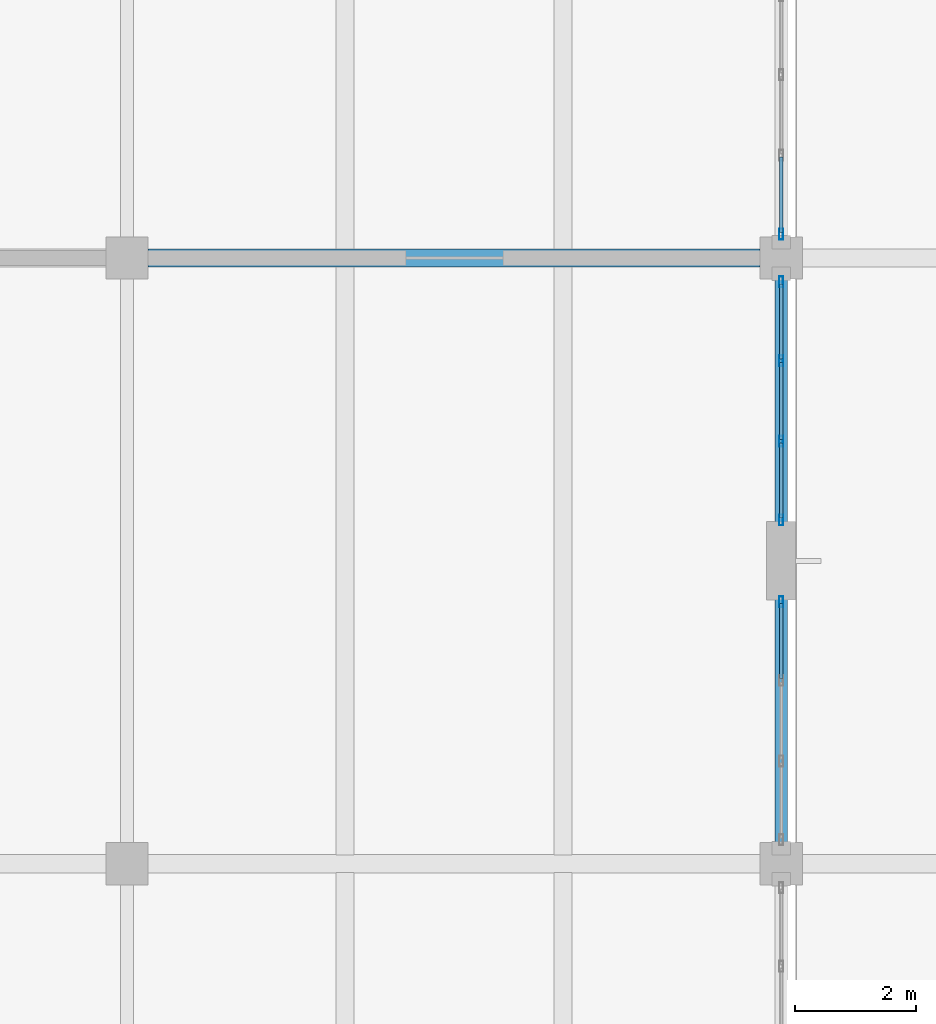
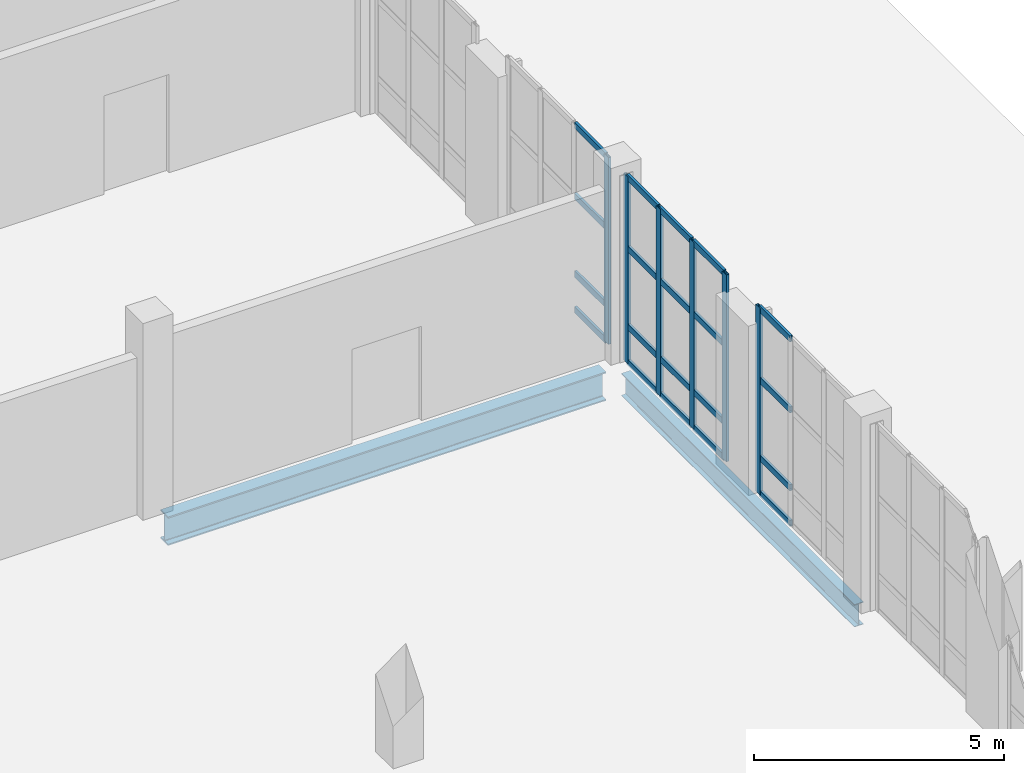
# One storey, part 52 of 92: 26 members, 2 beams, 3 elements without a shape of their own.
"""IFC4 building model written with IfcOpenShell, lengths in metres."""

from ifc_helpers import new_model, si_unit, direction, frame, origin, origin_2d, place, context, subcontext, project, spatial, hollow_rectangle, i_section, extrude, material, layer, layer_set, material_profile, profile_set, type_object, element, aggregate, save


model = new_model("IFC4")

# Units and contexts
model_context = context("Model", 3, precision=1e-05, world=origin(), true_north=direction((0.0, 1.0)))
body_context = subcontext(model_context, "Body", "Model", "MODEL_VIEW")
ifc_project = project(units=[si_unit("LENGTHUNIT", "METRE"), si_unit("AREAUNIT", "SQUARE_METRE"), si_unit("VOLUMEUNIT", "CUBIC_METRE"), si_unit("PLANEANGLEUNIT", "RADIAN"), si_unit("MASSUNIT", "GRAM", prefix="KILO")], contexts=[model_context])

# Site, building, storey
site_placement = place(None, origin())
site = spatial("IfcSite", under=ifc_project, at=site_placement, CompositionType="ELEMENT")
building_placement = place(site_placement, origin())
building = spatial("IfcBuilding", under=site, at=building_placement, Name="Tasgan Crest Museum", CompositionType="ELEMENT")
storey_placement = place(building_placement, frame((0.0, 0.0, 4.800048828125)))
storey = spatial("IfcBuildingStorey", under=building, at=storey_placement, Name="L01", CompositionType="ELEMENT", Elevation=4.800048828125)

# Beams
ifc_material_1 = material(Name="Steel S355K2", Category="steel")
ifc_material_profile_1 = material_profile(ifc_material_1, i_section(OverallWidth=0.300048828125, OverallDepth=0.699951171875, WebThickness=0.01708984375, FlangeThickness=0.031982421875, FilletRadius=0.027099609375, at=origin_2d()), Name="HEB 700")
ifc_profile_set_1 = profile_set([ifc_material_profile_1], Name="Steel S355K2")
beam_type_1 = type_object("IfcBeamType", Name="BM-G-HEB700", PredefinedType="BEAM", material=ifc_profile_set_1)
beam_1_placement = place(storey_placement, frame((140.74609375, 30.0, -0.630126953125), z_axis=(1.0, 0.0, 0.0), x_axis=(0.0, 1.0, 0.0)))
element("IfcBeam", 1, at=beam_1_placement, inside=storey, type_object=beam_type_1, Name="Girder L01 D 140.4-151.2", PredefinedType="BEAM", context=body_context, shape_type="SweptSolid", body=[
    extrude(i_section(OverallWidth=0.300048828125, OverallDepth=0.699951171875, WebThickness=0.01708984375, FlangeThickness=0.031982421875, FilletRadius=0.027099609375, at=origin_2d()), origin(), (0.0, 0.0, 1.0), 10.10791015625),
])
ifc_material_2 = material(Name="Steel S355J2", Category="steel")
ifc_material_profile_2 = material_profile(ifc_material_2, i_section(OverallWidth=0.2099609375, OverallDepth=0.550048828125, WebThickness=0.010986328125, FlangeThickness=0.01708984375, FilletRadius=0.02392578125, at=origin_2d()), Name="IPE 550")
ifc_profile_set_2 = profile_set([ifc_material_profile_2], Name="Steel S355J2")
beam_type_2 = type_object("IfcBeamType", Name="BM-G-IPE550", PredefinedType="BEAM", material=ifc_profile_set_2)
beam_2_placement = place(storey_placement, frame((151.199951171875, 20.344970703125, -0.554931640625), z_axis=(0.0, 1.0, 0.0), x_axis=(-1.0, 0.0, 0.0)))
element("IfcBeam", 2, at=beam_2_placement, inside=storey, type_object=beam_type_2, Name="Beam L01 15 20.0-30.0", PredefinedType="BEAM", context=body_context, shape_type="SweptSolid", body=[
    extrude(i_section(OverallWidth=0.2099609375, OverallDepth=0.550048828125, WebThickness=0.010986328125, FlangeThickness=0.01708984375, FilletRadius=0.02392578125, at=origin_2d()), origin(), (0.0, 0.0, 1.0), 9.31005859375),
])

# Curtain wall, member
ifc_material_3 = material(Name="Triple-Glazed Aluminium Curtain Wall", Category="aluminium")
ifc_layer = layer(ifc_material_3, 0.179931640625, Name="CW-PORCH-Y")
ifc_layer_set = layer_set([ifc_layer], Name="Triple-Glazed Aluminium Curtain Wall")
curtain_wall_type = type_object("IfcCurtainWallType", Name="CW-PORCH-Y", PredefinedType="NOTDEFINED", material=ifc_layer_set)
curtain_wall_1_placement = place(storey_placement, origin())
curtain_wall_1 = element("IfcCurtainWall", 3, at=curtain_wall_1_placement, inside=storey, type_object=curtain_wall_type, Name="Curtain wall L01 053", PredefinedType="NOTDEFINED")
ifc_material_4 = material(Name="Anodised Aluminium", Category="aluminium")
ifc_material_profile_3 = material_profile(ifc_material_4, hollow_rectangle(XDim=0.06494140625, YDim=0.179931640625, WallThickness=0.0048828125, at=origin_2d()), Name="ALU MULLION 180x65x5")
ifc_profile_set_3 = profile_set([ifc_material_profile_3], Name="Anodised Aluminium")
member_type_1 = type_object("IfcMemberType", Name="CW-MULLION-180", PredefinedType="MULLION", material=ifc_profile_set_3)
member_1_placement = place(storey_placement, frame((151.199951171875, 24.324951171875, 0.0), z_axis=(0.0, 0.0, 1.0), x_axis=(-1.0, 0.0, 0.0)))
member_1 = element("IfcMember", 4, at=member_1_placement, type_object=member_type_1, Name="CW02 mullion 4", PredefinedType="MULLION", context=body_context, shape_type="SweptSolid", body=[
    extrude(hollow_rectangle(XDim=0.06494140625, YDim=0.179931640625, WallThickness=0.0048828125, at=origin_2d()), origin(), (0.0, 0.0, 1.0), 4.56005859375),
])

# Curtain wall, members
curtain_wall_2_placement = place(storey_placement, origin())
curtain_wall_2 = element("IfcCurtainWall", 5, at=curtain_wall_2_placement, inside=storey, type_object=curtain_wall_type, Name="Curtain wall L01 054", PredefinedType="NOTDEFINED")
member_2_placement = place(storey_placement, frame((151.199951171875, 25.675048828125, 0.0), z_axis=(0.0, 0.0, 1.0), x_axis=(-1.0, 0.0, 0.0)))
member_2 = element("IfcMember", 6, at=member_2_placement, type_object=member_type_1, Name="CW02 mullion 1", PredefinedType="MULLION", context=body_context, shape_type="SweptSolid", body=[
    extrude(hollow_rectangle(XDim=0.06494140625, YDim=0.179931640625, WallThickness=0.0048828125, at=origin_2d()), origin(), (0.0, 0.0, 1.0), 4.56005859375),
])
member_3_placement = place(storey_placement, frame((151.199951171875, 26.97509765625, 0.0), z_axis=(0.0, 0.0, 1.0), x_axis=(-1.0, 0.0, 0.0)))
member_3 = element("IfcMember", 7, at=member_3_placement, type_object=member_type_1, Name="CW02 mullion 2", PredefinedType="MULLION", context=body_context, shape_type="SweptSolid", body=[
    extrude(hollow_rectangle(XDim=0.06494140625, YDim=0.179931640625, WallThickness=0.0048828125, at=origin_2d()), origin(), (0.0, 0.0, 1.0), 4.56005859375),
])
member_4_placement = place(storey_placement, frame((151.199951171875, 28.304931640625, 0.0), z_axis=(0.0, 0.0, 1.0), x_axis=(-1.0, 0.0, 0.0)))
member_4 = element("IfcMember", 8, at=member_4_placement, type_object=member_type_1, Name="CW02 mullion 3", PredefinedType="MULLION", context=body_context, shape_type="SweptSolid", body=[
    extrude(hollow_rectangle(XDim=0.06494140625, YDim=0.179931640625, WallThickness=0.0048828125, at=origin_2d()), origin(), (0.0, 0.0, 1.0), 4.56005859375),
])
member_5_placement = place(storey_placement, frame((151.199951171875, 29.60498046875, 0.0), z_axis=(0.0, 0.0, 1.0), x_axis=(-1.0, 0.0, 0.0)))
member_5 = element("IfcMember", 9, at=member_5_placement, type_object=member_type_1, Name="CW02 mullion 4", PredefinedType="MULLION", context=body_context, shape_type="SweptSolid", body=[
    extrude(hollow_rectangle(XDim=0.06494140625, YDim=0.179931640625, WallThickness=0.0048828125, at=origin_2d()), origin(), (0.0, 0.0, 1.0), 4.56005859375),
])

# Curtain wall, member
curtain_wall_3_placement = place(storey_placement, origin())
curtain_wall_3 = element("IfcCurtainWall", 10, at=curtain_wall_3_placement, inside=storey, type_object=curtain_wall_type, Name="Curtain wall L01 055", PredefinedType="NOTDEFINED")
member_6_placement = place(storey_placement, frame((151.199951171875, 30.39501953125, 0.0), z_axis=(0.0, 0.0, 1.0), x_axis=(-1.0, 0.0, 0.0)))
member_6 = element("IfcMember", 11, at=member_6_placement, type_object=member_type_1, Name="CW02 mullion 1", PredefinedType="MULLION", context=body_context, shape_type="SweptSolid", body=[
    extrude(hollow_rectangle(XDim=0.06494140625, YDim=0.179931640625, WallThickness=0.0048828125, at=origin_2d()), origin(), (0.0, 0.0, 1.0), 4.56005859375),
])

# Member
ifc_material_5 = material(Name="Anodised Aluminium", Category="aluminium")
ifc_material_profile_4 = material_profile(ifc_material_5, hollow_rectangle(XDim=0.06005859375, YDim=0.14990234375, WallThickness=0.0048828125, at=origin_2d()), Name="ALU TRANSOM 150x60x5")
ifc_profile_set_4 = profile_set([ifc_material_profile_4], Name="Anodised Aluminium")
member_type_2 = type_object("IfcMemberType", Name="CW-TRANSOM-150", PredefinedType="USERDEFINED", material=ifc_profile_set_4)
member_7_placement = place(storey_placement, frame((151.199951171875, 23.054931640625, 0.030029296875), z_axis=(0.0, 1.0, 0.0), x_axis=(-1.0, 0.0, 0.0)))
member_7 = element("IfcMember", 12, at=member_7_placement, type_object=member_type_2, Name="CW02 transom 3.1", ObjectType="TRANSOM", PredefinedType="USERDEFINED", context=body_context, shape_type="SweptSolid", body=[
    extrude(hollow_rectangle(XDim=0.06005859375, YDim=0.14990234375, WallThickness=0.0048828125, at=origin_2d()), origin(), (0.0, 0.0, 1.0), 1.239990234375),
])

member_8_placement = place(storey_placement, frame((151.199951171875, 23.054931640625, 0.89990234375), z_axis=(0.0, 1.0, 0.0), x_axis=(-1.0, 0.0, 0.0)))
member_8 = element("IfcMember", 13, at=member_8_placement, type_object=member_type_2, Name="CW02 transom 3.2", ObjectType="TRANSOM", PredefinedType="USERDEFINED", context=body_context, shape_type="SweptSolid", body=[
    extrude(hollow_rectangle(XDim=0.06005859375, YDim=0.14990234375, WallThickness=0.0048828125, at=origin_2d()), origin(), (0.0, 0.0, 1.0), 1.239990234375),
])

member_9_placement = place(storey_placement, frame((151.199951171875, 23.054931640625, 2.800048828125), z_axis=(0.0, 1.0, 0.0), x_axis=(-1.0, 0.0, 0.0)))
member_9 = element("IfcMember", 14, at=member_9_placement, type_object=member_type_2, Name="CW02 transom 3.3", ObjectType="TRANSOM", PredefinedType="USERDEFINED", context=body_context, shape_type="SweptSolid", body=[
    extrude(hollow_rectangle(XDim=0.06005859375, YDim=0.14990234375, WallThickness=0.0048828125, at=origin_2d()), origin(), (0.0, 0.0, 1.0), 1.239990234375),
])

member_10_placement = place(storey_placement, frame((151.199951171875, 23.054931640625, 4.530029296875), z_axis=(0.0, 1.0, 0.0), x_axis=(-1.0, 0.0, 0.0)))
member_10 = element("IfcMember", 15, at=member_10_placement, type_object=member_type_2, Name="CW02 transom 3.4", ObjectType="TRANSOM", PredefinedType="USERDEFINED", context=body_context, shape_type="SweptSolid", body=[
    extrude(hollow_rectangle(XDim=0.06005859375, YDim=0.14990234375, WallThickness=0.0048828125, at=origin_2d()), origin(), (0.0, 0.0, 1.0), 1.239990234375),
])

aggregate(curtain_wall_1, [member_1, member_7, member_8, member_9, member_10])

member_11_placement = place(storey_placement, frame((151.199951171875, 25.705078125, 0.030029296875), z_axis=(0.0, 1.0, 0.0), x_axis=(-1.0, 0.0, 0.0)))
member_11 = element("IfcMember", 16, at=member_11_placement, type_object=member_type_2, Name="CW02 transom 1.1", ObjectType="TRANSOM", PredefinedType="USERDEFINED", context=body_context, shape_type="SweptSolid", body=[
    extrude(hollow_rectangle(XDim=0.06005859375, YDim=0.14990234375, WallThickness=0.0048828125, at=origin_2d()), origin(), (0.0, 0.0, 1.0), 1.239990234375),
])

member_12_placement = place(storey_placement, frame((151.199951171875, 25.705078125, 0.89990234375), z_axis=(0.0, 1.0, 0.0), x_axis=(-1.0, 0.0, 0.0)))
member_12 = element("IfcMember", 17, at=member_12_placement, type_object=member_type_2, Name="CW02 transom 1.2", ObjectType="TRANSOM", PredefinedType="USERDEFINED", context=body_context, shape_type="SweptSolid", body=[
    extrude(hollow_rectangle(XDim=0.06005859375, YDim=0.14990234375, WallThickness=0.0048828125, at=origin_2d()), origin(), (0.0, 0.0, 1.0), 1.239990234375),
])

member_13_placement = place(storey_placement, frame((151.199951171875, 25.705078125, 2.800048828125), z_axis=(0.0, 1.0, 0.0), x_axis=(-1.0, 0.0, 0.0)))
member_13 = element("IfcMember", 18, at=member_13_placement, type_object=member_type_2, Name="CW02 transom 1.3", ObjectType="TRANSOM", PredefinedType="USERDEFINED", context=body_context, shape_type="SweptSolid", body=[
    extrude(hollow_rectangle(XDim=0.06005859375, YDim=0.14990234375, WallThickness=0.0048828125, at=origin_2d()), origin(), (0.0, 0.0, 1.0), 1.239990234375),
])

member_14_placement = place(storey_placement, frame((151.199951171875, 25.705078125, 4.530029296875), z_axis=(0.0, 1.0, 0.0), x_axis=(-1.0, 0.0, 0.0)))
member_14 = element("IfcMember", 19, at=member_14_placement, type_object=member_type_2, Name="CW02 transom 1.4", ObjectType="TRANSOM", PredefinedType="USERDEFINED", context=body_context, shape_type="SweptSolid", body=[
    extrude(hollow_rectangle(XDim=0.06005859375, YDim=0.14990234375, WallThickness=0.0048828125, at=origin_2d()), origin(), (0.0, 0.0, 1.0), 1.239990234375),
])

member_15_placement = place(storey_placement, frame((151.199951171875, 27.0048828125, 0.030029296875), z_axis=(0.0, 1.0, 0.0), x_axis=(-1.0, 0.0, 0.0)))
member_15 = element("IfcMember", 20, at=member_15_placement, type_object=member_type_2, Name="CW02 transom 2.1", ObjectType="TRANSOM", PredefinedType="USERDEFINED", context=body_context, shape_type="SweptSolid", body=[
    extrude(hollow_rectangle(XDim=0.06005859375, YDim=0.14990234375, WallThickness=0.0048828125, at=origin_2d()), origin(), (0.0, 0.0, 1.0), 1.27001953125),
])

member_16_placement = place(storey_placement, frame((151.199951171875, 27.0048828125, 0.89990234375), z_axis=(0.0, 1.0, 0.0), x_axis=(-1.0, 0.0, 0.0)))
member_16 = element("IfcMember", 21, at=member_16_placement, type_object=member_type_2, Name="CW02 transom 2.2", ObjectType="TRANSOM", PredefinedType="USERDEFINED", context=body_context, shape_type="SweptSolid", body=[
    extrude(hollow_rectangle(XDim=0.06005859375, YDim=0.14990234375, WallThickness=0.0048828125, at=origin_2d()), origin(), (0.0, 0.0, 1.0), 1.27001953125),
])

member_17_placement = place(storey_placement, frame((151.199951171875, 27.0048828125, 2.800048828125), z_axis=(0.0, 1.0, 0.0), x_axis=(-1.0, 0.0, 0.0)))
member_17 = element("IfcMember", 22, at=member_17_placement, type_object=member_type_2, Name="CW02 transom 2.3", ObjectType="TRANSOM", PredefinedType="USERDEFINED", context=body_context, shape_type="SweptSolid", body=[
    extrude(hollow_rectangle(XDim=0.06005859375, YDim=0.14990234375, WallThickness=0.0048828125, at=origin_2d()), origin(), (0.0, 0.0, 1.0), 1.27001953125),
])

member_18_placement = place(storey_placement, frame((151.199951171875, 27.0048828125, 4.530029296875), z_axis=(0.0, 1.0, 0.0), x_axis=(-1.0, 0.0, 0.0)))
member_18 = element("IfcMember", 23, at=member_18_placement, type_object=member_type_2, Name="CW02 transom 2.4", ObjectType="TRANSOM", PredefinedType="USERDEFINED", context=body_context, shape_type="SweptSolid", body=[
    extrude(hollow_rectangle(XDim=0.06005859375, YDim=0.14990234375, WallThickness=0.0048828125, at=origin_2d()), origin(), (0.0, 0.0, 1.0), 1.27001953125),
])

member_19_placement = place(storey_placement, frame((151.199951171875, 28.3349609375, 0.030029296875), z_axis=(0.0, 1.0, 0.0), x_axis=(-1.0, 0.0, 0.0)))
member_19 = element("IfcMember", 24, at=member_19_placement, type_object=member_type_2, Name="CW02 transom 3.1", ObjectType="TRANSOM", PredefinedType="USERDEFINED", context=body_context, shape_type="SweptSolid", body=[
    extrude(hollow_rectangle(XDim=0.06005859375, YDim=0.14990234375, WallThickness=0.0048828125, at=origin_2d()), origin(), (0.0, 0.0, 1.0), 1.239990234375),
])

member_20_placement = place(storey_placement, frame((151.199951171875, 28.3349609375, 0.89990234375), z_axis=(0.0, 1.0, 0.0), x_axis=(-1.0, 0.0, 0.0)))
member_20 = element("IfcMember", 25, at=member_20_placement, type_object=member_type_2, Name="CW02 transom 3.2", ObjectType="TRANSOM", PredefinedType="USERDEFINED", context=body_context, shape_type="SweptSolid", body=[
    extrude(hollow_rectangle(XDim=0.06005859375, YDim=0.14990234375, WallThickness=0.0048828125, at=origin_2d()), origin(), (0.0, 0.0, 1.0), 1.239990234375),
])

member_21_placement = place(storey_placement, frame((151.199951171875, 28.3349609375, 2.800048828125), z_axis=(0.0, 1.0, 0.0), x_axis=(-1.0, 0.0, 0.0)))
member_21 = element("IfcMember", 26, at=member_21_placement, type_object=member_type_2, Name="CW02 transom 3.3", ObjectType="TRANSOM", PredefinedType="USERDEFINED", context=body_context, shape_type="SweptSolid", body=[
    extrude(hollow_rectangle(XDim=0.06005859375, YDim=0.14990234375, WallThickness=0.0048828125, at=origin_2d()), origin(), (0.0, 0.0, 1.0), 1.239990234375),
])

member_22_placement = place(storey_placement, frame((151.199951171875, 28.3349609375, 4.530029296875), z_axis=(0.0, 1.0, 0.0), x_axis=(-1.0, 0.0, 0.0)))
member_22 = element("IfcMember", 27, at=member_22_placement, type_object=member_type_2, Name="CW02 transom 3.4", ObjectType="TRANSOM", PredefinedType="USERDEFINED", context=body_context, shape_type="SweptSolid", body=[
    extrude(hollow_rectangle(XDim=0.06005859375, YDim=0.14990234375, WallThickness=0.0048828125, at=origin_2d()), origin(), (0.0, 0.0, 1.0), 1.239990234375),
])

aggregate(curtain_wall_2, [member_2, member_3, member_4, member_5, member_11, member_12, member_13, member_14, member_15, member_16, member_17, member_18, member_19, member_20, member_21, member_22])

member_23_placement = place(storey_placement, frame((151.199951171875, 30.425048828125, 0.030029296875), z_axis=(0.0, 1.0, 0.0), x_axis=(-1.0, 0.0, 0.0)))
member_23 = element("IfcMember", 28, at=member_23_placement, type_object=member_type_2, Name="CW02 transom 1.1", ObjectType="TRANSOM", PredefinedType="USERDEFINED", context=body_context, shape_type="SweptSolid", body=[
    extrude(hollow_rectangle(XDim=0.06005859375, YDim=0.14990234375, WallThickness=0.0048828125, at=origin_2d()), origin(), (0.0, 0.0, 1.0), 1.239990234375),
])

member_24_placement = place(storey_placement, frame((151.199951171875, 30.425048828125, 0.89990234375), z_axis=(0.0, 1.0, 0.0), x_axis=(-1.0, 0.0, 0.0)))
member_24 = element("IfcMember", 29, at=member_24_placement, type_object=member_type_2, Name="CW02 transom 1.2", ObjectType="TRANSOM", PredefinedType="USERDEFINED", context=body_context, shape_type="SweptSolid", body=[
    extrude(hollow_rectangle(XDim=0.06005859375, YDim=0.14990234375, WallThickness=0.0048828125, at=origin_2d()), origin(), (0.0, 0.0, 1.0), 1.239990234375),
])

member_25_placement = place(storey_placement, frame((151.199951171875, 30.425048828125, 2.800048828125), z_axis=(0.0, 1.0, 0.0), x_axis=(-1.0, 0.0, 0.0)))
member_25 = element("IfcMember", 30, at=member_25_placement, type_object=member_type_2, Name="CW02 transom 1.3", ObjectType="TRANSOM", PredefinedType="USERDEFINED", context=body_context, shape_type="SweptSolid", body=[
    extrude(hollow_rectangle(XDim=0.06005859375, YDim=0.14990234375, WallThickness=0.0048828125, at=origin_2d()), origin(), (0.0, 0.0, 1.0), 1.239990234375),
])

member_26_placement = place(storey_placement, frame((151.199951171875, 30.425048828125, 4.530029296875), z_axis=(0.0, 1.0, 0.0), x_axis=(-1.0, 0.0, 0.0)))
member_26 = element("IfcMember", 31, at=member_26_placement, type_object=member_type_2, Name="CW02 transom 1.4", ObjectType="TRANSOM", PredefinedType="USERDEFINED", context=body_context, shape_type="SweptSolid", body=[
    extrude(hollow_rectangle(XDim=0.06005859375, YDim=0.14990234375, WallThickness=0.0048828125, at=origin_2d()), origin(), (0.0, 0.0, 1.0), 1.239990234375),
])

aggregate(curtain_wall_3, [member_6, member_23, member_24, member_25, member_26])

save(model, "model.ifc")
